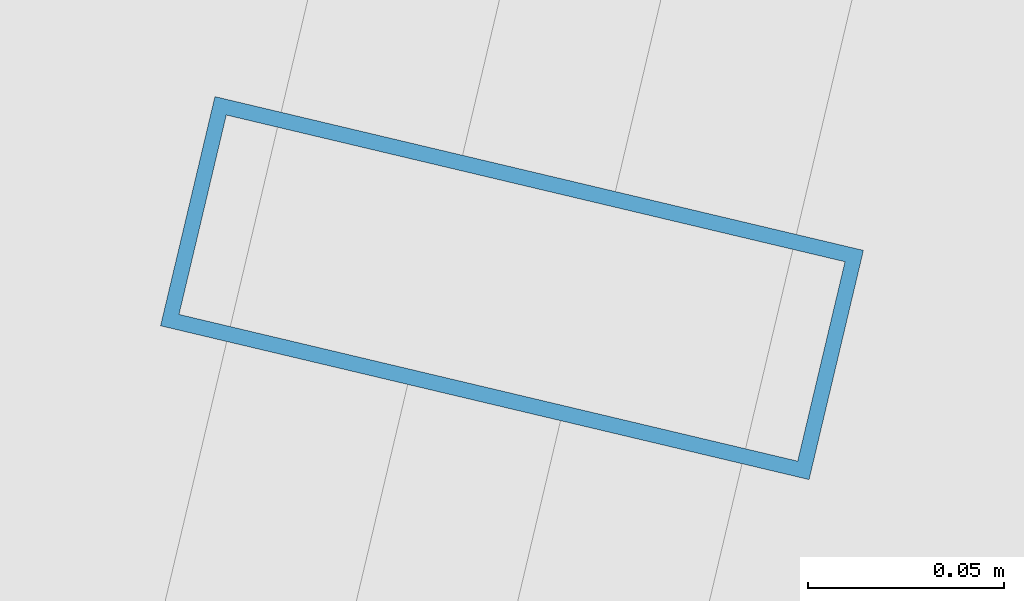
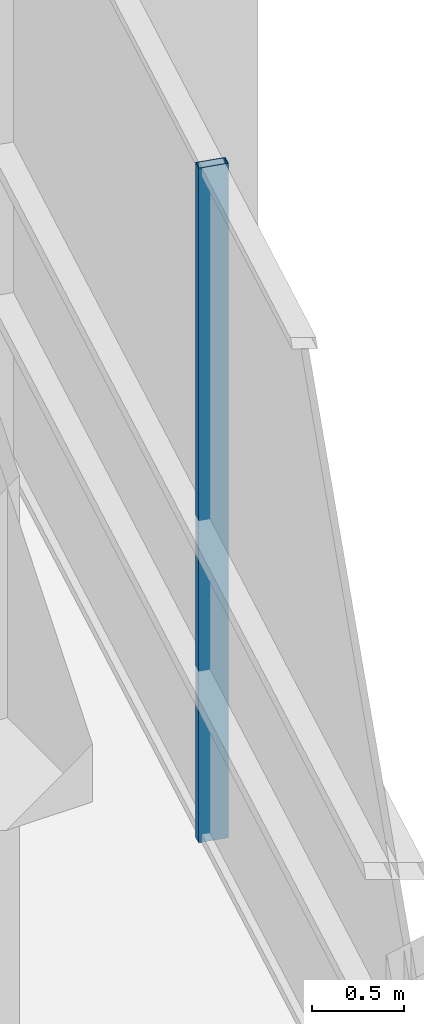
# One storey, part 18 of 41: 1 member, 1 element without a shape of its own.
"""IFC4 building model written with IfcOpenShell, lengths in metres."""

from ifc_helpers import new_model, si_unit, direction, frame, origin, origin_2d, place, context, subcontext, project, spatial, hollow_rectangle, extrude, source, transform, mapped, material, layer, layer_set, material_profile, profile_set, type_object, element, aggregate, save


model = new_model("IFC4")

# Units and contexts
model_context = context("Model", 3, precision=1e-05, world=origin(), true_north=direction((0.0, 1.0)))
body_context = subcontext(model_context, "Body", "Model", "MODEL_VIEW")
ifc_project = project(units=[si_unit("LENGTHUNIT", "METRE"), si_unit("AREAUNIT", "SQUARE_METRE"), si_unit("VOLUMEUNIT", "CUBIC_METRE"), si_unit("PLANEANGLEUNIT", "RADIAN"), si_unit("MASSUNIT", "GRAM", prefix="KILO")], contexts=[model_context])

# Site, building, storey
site_placement = place(None, origin())
site = spatial("IfcSite", under=ifc_project, at=site_placement, CompositionType="ELEMENT")
building_placement = place(site_placement, origin())
building = spatial("IfcBuilding", under=site, at=building_placement, Name="Veraguas Prism Commons", CompositionType="ELEMENT")
storey_placement = place(building_placement, frame((0.0, 0.0, 80.35009765625)))
storey = spatial("IfcBuildingStorey", under=building, at=storey_placement, Name="L22", CompositionType="ELEMENT", Elevation=80.35009765625)

# Curtain wall, member
ifc_material = material(Name="Anodised aluminium EN AW-6063 T6", Category="aluminium")
ifc_layer = layer(ifc_material, 0.169921875, Name="Unitised Flush Curtain Wall Zone 1", Category="aluminium")
ifc_layer_set = layer_set([ifc_layer], Name="Anodised aluminium EN AW-6063 T6")
curtain_wall_type = type_object("IfcCurtainWallType", Name="Unitised Flush Curtain Wall Zone 1", PredefinedType="NOTDEFINED", material=ifc_layer_set)
curtain_wall_placement = place(storey_placement, origin())
curtain_wall = element("IfcCurtainWall", 1, at=curtain_wall_placement, inside=storey, type_object=curtain_wall_type, Name="Tower Facade Curtain Wall L22-F6", PredefinedType="NOTDEFINED")
ifc_material_profile = material_profile(ifc_material, hollow_rectangle(XDim=0.06005859375, YDim=0.169921875, WallThickness=0.00390625, at=origin_2d()), Name="AL60X170X4")
ifc_profile_set = profile_set([ifc_material_profile], Name="Anodised aluminium EN AW-6063 T6")
member_type = type_object("IfcMemberType", Name="Curtain Wall Mullion Lower AL 60x170x4", PredefinedType="MULLION", material=ifc_profile_set)
shared_shape = source(origin(), body_context, "Body", "SweptSolid", [
    extrude(hollow_rectangle(XDim=0.06005859375, YDim=0.169921875, WallThickness=0.00390625, at=origin_2d()), origin(), (0.0, 0.0, 1.0), 4.47998046875),
])
member_placement = place(storey_placement, frame((44.223876953125, 19.204345703125, 0.0), z_axis=(0.0, 0.0, 1.0), x_axis=(0.2307341828, 0.97301682251, 0.0)))
member = element("IfcMember", 2, at=member_placement, type_object=member_type, Name="CW-Z1 Mullion 3", PredefinedType="MULLION", context=body_context, shape_type="MappedRepresentation", body=[
    mapped(shared_shape, transform((0.0, 0.0, 0.0), scale=1.0)),
])
aggregate(curtain_wall, [member])

save(model, "model.ifc")
